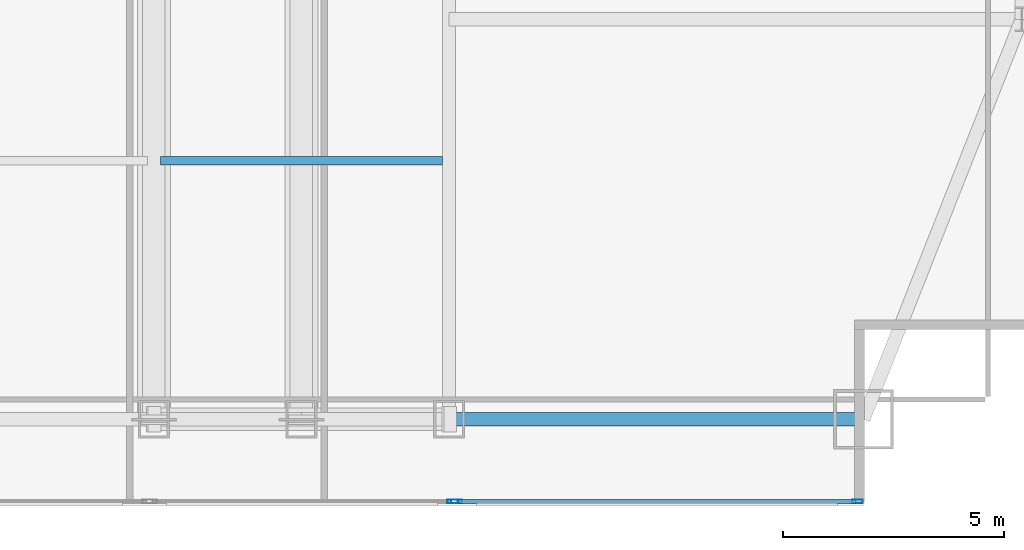
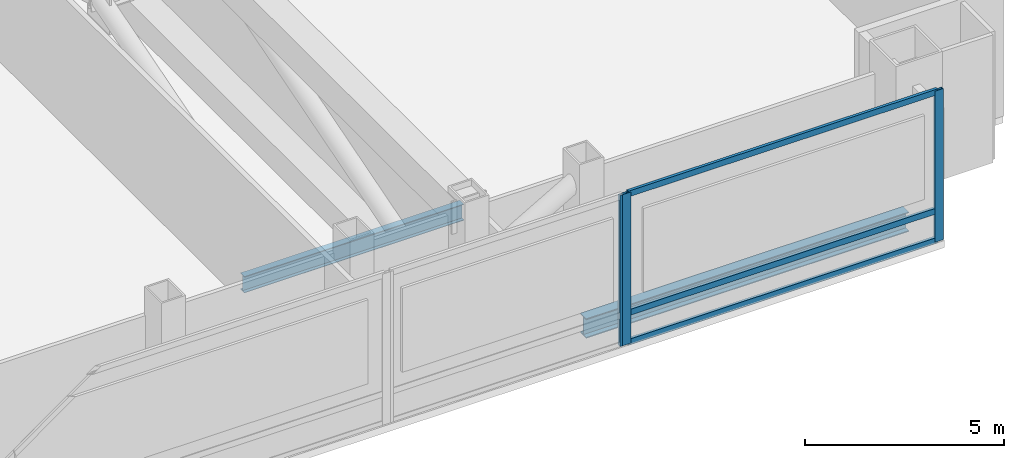
# One storey, part 15 of 30: 6 members, 2 beams, 2 elements without a shape of their own.
"""IFC4 building model written with IfcOpenShell, lengths in metres."""

import ifcopenshell
import ifcopenshell.guid

model = None  # the IFC model being written
_history = None  # IfcOwnerHistory: only IFC2X3 demands one
_inside = {}  # id of a spatial element -> (the spatial element, [elements in it])
_under = {}  # id of a project, library or spatial element -> (it, [spatial elements below it])
_declared = {}  # id of a project -> (the project, [libraries it declares])
_typed = {}  # id of a type object -> (the type object, [elements of that type])
_made_of = {}  # id of a material, layer set ... -> (it, [elements and type objects made of it])


def new_model(schema):
    """Start an empty IFC model of exactly this schema.

    Asked for "IFC4X3", IfcOpenShell would pick the latest addendum, in which some entities
    have other attributes; the version numbers below select the first issue.
    IFC2X3 requires an IfcOwnerHistory on every rooted entity: one is made here for all.
    """
    global model, _history
    if schema == "IFC4X3":
        model = ifcopenshell.file(schema_version=(4, 3, 0, 0))
    else:
        model = ifcopenshell.file(schema=schema)
    _inside.clear()
    _under.clear()
    _declared.clear()
    _typed.clear()
    _made_of.clear()
    _history = None
    if model.schema == "IFC2X3":
        org = make("IfcOrganization", Name="unknown")
        user = make(
            "IfcPersonAndOrganization",
            ThePerson=make("IfcPerson", FamilyName="unknown"),
            TheOrganization=org,
        )
        app = make(
            "IfcApplication",
            ApplicationDeveloper=org,
            Version="unknown",
            ApplicationFullName="unknown",
            ApplicationIdentifier="unknown",
        )
        _history = make(
            "IfcOwnerHistory",
            OwningUser=user,
            OwningApplication=app,
            ChangeAction="ADDED",
            CreationDate=0,
        )
    return model


def make(cls, **values):
    """One entity of the class cls with the attributes given. An attribute that is None is left unset."""
    return model.create_entity(
        cls, **{name: value for name, value in values.items() if value is not None}
    )


def rooted(cls, **values):
    """An entity with a GlobalId (a new one), such as an element, a storey or a relation."""
    return make(cls, GlobalId=ifcopenshell.guid.new(), OwnerHistory=_history, **values)


def si_unit(unit_type, name, prefix=None):
    """IfcSIUnit, for example si_unit("LENGTHUNIT", "METRE", prefix="MILLI")."""
    return make("IfcSIUnit", UnitType=unit_type, Prefix=prefix, Name=name)


def assignment(units):
    """IfcUnitAssignment: the units of a project."""
    return None if units is None else make("IfcUnitAssignment", Units=units)


def point(xyz):
    """IfcCartesianPoint."""
    return None if xyz is None else make("IfcCartesianPoint", Coordinates=xyz)


def direction(xyz):
    """IfcDirection."""
    return None if xyz is None else make("IfcDirection", DirectionRatios=xyz)


def frame(location, z_axis=None, x_axis=None):
    """IfcAxis2Placement3D, a coordinate frame: its origin and axes. An axis left out is left unset."""
    return make(
        "IfcAxis2Placement3D",
        Location=point(location),
        Axis=direction(z_axis),
        RefDirection=direction(x_axis),
    )


def frame_2d(location, x_axis=None):
    """IfcAxis2Placement2D, a coordinate frame in the plane: its origin and x axis."""
    return make(
        "IfcAxis2Placement2D", Location=point(location), RefDirection=direction(x_axis)
    )


def origin():
    """The frame at (0, 0, 0) with its axes left unset."""
    return frame((0.0, 0.0, 0.0))


def origin_2d():
    """The frame at (0, 0) in the plane with its x axis left unset."""
    return frame_2d((0.0, 0.0))


def place(relative_to, where):
    """IfcLocalPlacement: puts the frame where relative to a parent placement (None: the world)."""
    return make(
        "IfcLocalPlacement", PlacementRelTo=relative_to, RelativePlacement=where
    )


def context(
    kind, dimensions, precision=None, world=None, true_north=None, identifier=None
):
    """IfcGeometricRepresentationContext, for example the 3D "Model" context."""
    return make(
        "IfcGeometricRepresentationContext",
        ContextIdentifier=identifier,
        ContextType=kind,
        CoordinateSpaceDimension=dimensions,
        Precision=precision,
        WorldCoordinateSystem=world,
        TrueNorth=true_north,
    )


def subcontext(parent, identifier, kind, view, scale=None):
    """IfcGeometricRepresentationSubContext, for example "Body" below "Model"."""
    return make(
        "IfcGeometricRepresentationSubContext",
        ContextIdentifier=identifier,
        ContextType=kind,
        ParentContext=parent,
        TargetScale=scale,
        TargetView=view,
    )


def project(units=None, contexts=None):
    """IfcProject with its units and contexts."""
    return rooted(
        "IfcProject",
        Name="project",
        RepresentationContexts=contexts,
        UnitsInContext=assignment(units),
    )


def spatial(cls, under=None, at=None, **own):
    """A site, building, storey or space (cls), placed at a placement, below another one or the project."""
    s = rooted(cls, ObjectPlacement=at, **own)
    if under is not None:
        _under.setdefault(under.id(), (under, []))[1].append(s)
    return s


def profile(cls, at=None, kind="AREA", **sizes):
    """A parametric profile (cls). Its sizes go by their IFC names, for example OverallWidth=200.0."""
    return make(cls, ProfileType=kind, Position=at, **sizes)


def hollow_rectangle(**sizes):
    """IfcRectangleHollowProfileDef."""
    return profile("IfcRectangleHollowProfileDef", **sizes)


def i_section(**sizes):
    """IfcIShapeProfileDef."""
    return profile("IfcIShapeProfileDef", **sizes)


def extrude(swept, where, along, depth):
    """IfcExtrudedAreaSolid: the profile swept, set in the frame where, extruded along a direction by depth."""
    return make(
        "IfcExtrudedAreaSolid",
        SweptArea=swept,
        Position=where,
        ExtrudedDirection=direction(along),
        Depth=depth,
    )


def shape(context_of_items, identifier, shape_type, items):
    """IfcShapeRepresentation: the items that make up one representation, for example the "Body"."""
    return make(
        "IfcShapeRepresentation",
        ContextOfItems=context_of_items,
        RepresentationIdentifier=identifier,
        RepresentationType=shape_type,
        Items=items,
    )


def material(Name=None, Category=None):
    """IfcMaterial."""
    return make("IfcMaterial", Name=Name, Category=Category)


def material_profile(
    of_material, cross_section, Name=None, Category=None, Priority=None
):
    """IfcMaterialProfile: a cross section and its material."""
    return make(
        "IfcMaterialProfile",
        Name=Name,
        Material=of_material,
        Profile=cross_section,
        Priority=Priority,
        Category=Category,
    )


def profile_set(profiles, Name=None, composite=None):
    """IfcMaterialProfileSet."""
    return make(
        "IfcMaterialProfileSet",
        Name=Name,
        MaterialProfiles=profiles,
        CompositeProfile=composite,
    )


def made_of(thing, what):
    """Note that an element or type object is made of a material, layer set ...; save() writes the relation."""
    if what is not None:
        _made_of.setdefault(what.id(), (what, []))[1].append(thing)
    return thing


def type_object(cls, material=None, **own):
    """A type object (cls), such as IfcWallType, which elements share."""
    return made_of(rooted(cls, **own), material)


def element(
    cls,
    number,
    at=None,
    inside=None,
    cuts=None,
    type_object=None,
    material=None,
    context=None,
    identifier="Body",
    shape_type=None,
    held_by="IfcProductDefinitionShape",
    body=None,
    shapes=None,
    **own,
):
    """One element of the class cls, such as IfcWall. Its Tag is "e" and its number.

    at: its placement. inside: the storey or other place that contains it. cuts: it is an
    opening in that element (IfcRelVoidsElement). A single representation is given by context,
    identifier, shape_type and body (its items); several are given by shapes. held_by: the class
    of the entity that holds the representations. save() writes the other relations.
    """
    e = rooted(cls, Tag="e%d" % number, ObjectPlacement=at, **own)
    if body is not None:
        shapes = [shape(context, identifier, shape_type, body)]
    if shapes is not None:
        e.Representation = make(held_by, Representations=shapes)
    if inside is not None:
        _inside.setdefault(inside.id(), (inside, []))[1].append(e)
    if cuts is not None:
        rooted(
            "IfcRelVoidsElement", RelatingBuildingElement=cuts, RelatedOpeningElement=e
        )
    if type_object is not None:
        _typed.setdefault(type_object.id(), (type_object, []))[1].append(e)
    return made_of(e, material)


def aggregate(whole, parts):
    """IfcRelAggregates: a whole, such as a stair, and the parts it consists of."""
    return rooted("IfcRelAggregates", RelatingObject=whole, RelatedObjects=parts)


def save(model, path):
    """Write the relations noted so far, then the file.

    IfcRelAggregates (storeys below a building ...), IfcRelContainedInSpatialStructure (elements
    in a storey), IfcRelDefinesByType, IfcRelAssociatesMaterial and IfcRelDeclares: one each for
    every whole, place, type object, material and project.
    """
    for whole, parts in _under.values():
        aggregate(whole, parts)
    for where, things in _inside.values():
        rooted(
            "IfcRelContainedInSpatialStructure",
            RelatedElements=things,
            RelatingStructure=where,
        )
    for kind, things in _typed.values():
        rooted("IfcRelDefinesByType", RelatedObjects=things, RelatingType=kind)
    for what, things in _made_of.values():
        rooted("IfcRelAssociatesMaterial", RelatedObjects=things, RelatingMaterial=what)
    for by, libraries in _declared.values():
        rooted("IfcRelDeclares", RelatingContext=by, RelatedDefinitions=libraries)
    model.write(path)


model = new_model("IFC4")

# Units and contexts
model_context = context("Model", 3, precision=1e-05, world=origin(), true_north=direction((0.0, 1.0)))
body_context = subcontext(model_context, "Body", "Model", "MODEL_VIEW")
ifc_project = project(units=[si_unit("LENGTHUNIT", "METRE"), si_unit("AREAUNIT", "SQUARE_METRE"), si_unit("VOLUMEUNIT", "CUBIC_METRE"), si_unit("PLANEANGLEUNIT", "RADIAN"), si_unit("MASSUNIT", "GRAM", prefix="KILO")], contexts=[model_context])

# Site, building, storey
site_placement = place(None, origin())
site = spatial("IfcSite", under=ifc_project, at=site_placement, CompositionType="ELEMENT")
building_placement = place(site_placement, origin())
building = spatial("IfcBuilding", under=site, at=building_placement, Name="Khoronbel Lancet Exchange", CompositionType="ELEMENT")
storey_placement = place(building_placement, frame((0.0, 0.0, 172.199951171875)))
storey = spatial("IfcBuildingStorey", under=building, at=storey_placement, Name="L43", CompositionType="ELEMENT", Elevation=172.199951171875)

# Beams
ifc_material_1 = material(Name="Steel S355", Category="steel")
ifc_material_profile_1 = material_profile(ifc_material_1, i_section(OverallWidth=0.199951171875, OverallDepth=0.5, WebThickness=0.01025390625, FlangeThickness=0.01611328125, at=origin_2d()), Name="IPE 500")
ifc_profile_set_1 = profile_set([ifc_material_profile_1], Name="Steel S355")
beam_type_1 = type_object("IfcBeamType", Name="BM-BJ3", PredefinedType="JOIST", material=ifc_profile_set_1)
beam_1_placement = place(storey_placement, frame((48.14990234375, 16.0, -0.469970703125), z_axis=(1.0, 0.0, 0.0), x_axis=(0.0, 1.0, 0.0)))
element("IfcBeam", 1, at=beam_1_placement, inside=storey, type_object=beam_type_1, Name="Level L43 secondary composite joist J05", PredefinedType="JOIST", context=body_context, shape_type="SweptSolid", body=[
    extrude(i_section(OverallWidth=0.199951171875, OverallDepth=0.5, WebThickness=0.01025390625, FlangeThickness=0.01611328125, at=origin_2d()), origin(), (0.0, 0.0, 1.0), 6.375),
])
ifc_material_profile_2 = material_profile(ifc_material_1, i_section(OverallWidth=0.300048828125, OverallDepth=0.60009765625, WebThickness=0.015380859375, FlangeThickness=0.030029296875, at=origin_2d()), Name="HEB 600")
ifc_profile_set_2 = profile_set([ifc_material_profile_2], Name="Steel S355")
beam_type_2 = type_object("IfcBeamType", Name="BM-BSP2", PredefinedType="SPANDREL", material=ifc_profile_set_2)
beam_2_placement = place(storey_placement, frame((54.675048828125, 10.14990234375, -0.52001953125), z_axis=(1.0, 0.0, 0.0), x_axis=(0.0, 1.0, 0.0)))
element("IfcBeam", 2, at=beam_2_placement, inside=storey, type_object=beam_type_2, Name="Level L43 perimeter spandrel beam SP09", PredefinedType="SPANDREL", context=body_context, shape_type="SweptSolid", body=[
    extrude(i_section(OverallWidth=0.300048828125, OverallDepth=0.60009765625, WebThickness=0.015380859375, FlangeThickness=0.030029296875, at=origin_2d()), origin(), (0.0, 0.0, 1.0), 9.375),
])

# Curtain wall, member
ifc_material_2 = material(Name="Low-E Solar Control Insulating Glass", Category="glass")
curtain_wall_type = type_object("IfcCurtainWallType", Name="CW-3", PredefinedType="NOTDEFINED", material=ifc_material_2)
curtain_wall_1_placement = place(storey_placement, origin())
curtain_wall_1 = element("IfcCurtainWall", 3, at=curtain_wall_1_placement, inside=storey, type_object=curtain_wall_type, Name="Unitised curtain wall CW-L43-SEB", PredefinedType="NOTDEFINED")
ifc_material_3 = material(Name="Bronze-Anodised Aluminium 6063-T6", Category="aluminium")
ifc_material_profile_3 = material_profile(ifc_material_3, hollow_rectangle(XDim=0.0849609375, YDim=0.239990234375, WallThickness=0.006103515625, at=origin_2d()), Name="ALU MULLION 85x240")
ifc_profile_set_3 = profile_set([ifc_material_profile_3], Name="Bronze-Anodised Aluminium 6063-T6")
member_type_1 = type_object("IfcMemberType", Name="MEM-CWM1", PredefinedType="MULLION", material=ifc_profile_set_3)
member_1_placement = place(storey_placement, frame((54.757568359375, 8.2900390625, 0.0), z_axis=(0.0, 0.0, 1.0), x_axis=(0.0, 1.0, 0.0)))
member_1 = element("IfcMember", 4, at=member_1_placement, type_object=member_type_1, Name="CW3 mullion 2", PredefinedType="MULLION", context=body_context, shape_type="SweptSolid", body=[
    extrude(hollow_rectangle(XDim=0.0849609375, YDim=0.239990234375, WallThickness=0.006103515625, at=origin_2d()), origin(), (0.0, 0.0, 1.0), 4.64013671875),
])
aggregate(curtain_wall_1, [member_1])

# Curtain wall, members
curtain_wall_2_placement = place(storey_placement, origin())
curtain_wall_2 = element("IfcCurtainWall", 5, at=curtain_wall_2_placement, inside=storey, type_object=curtain_wall_type, Name="Unitised curtain wall CW-L43-SEV", PredefinedType="NOTDEFINED")
member_2_placement = place(storey_placement, frame((54.842529296875, 8.2900390625, 0.0), z_axis=(0.0, 0.0, 1.0), x_axis=(0.0, 1.0, 0.0)))
member_2 = element("IfcMember", 6, at=member_2_placement, type_object=member_type_1, Name="CW3 mullion 1", PredefinedType="MULLION", context=body_context, shape_type="SweptSolid", body=[
    extrude(hollow_rectangle(XDim=0.0849609375, YDim=0.239990234375, WallThickness=0.006103515625, at=origin_2d()), origin(), (0.0, 0.0, 1.0), 4.64013671875),
])
member_3_placement = place(storey_placement, frame((63.91748046875, 8.2900390625, 0.0), z_axis=(0.0, 0.0, 1.0), x_axis=(0.0, 1.0, 0.0)))
member_3 = element("IfcMember", 7, at=member_3_placement, type_object=member_type_1, Name="CW3 mullion 2", PredefinedType="MULLION", context=body_context, shape_type="SweptSolid", body=[
    extrude(hollow_rectangle(XDim=0.0849609375, YDim=0.239990234375, WallThickness=0.006103515625, at=origin_2d()), origin(), (0.0, 0.0, 1.0), 4.64013671875),
])
ifc_material_profile_4 = material_profile(ifc_material_3, hollow_rectangle(XDim=0.0849609375, YDim=0.179931640625, WallThickness=0.0048828125, at=origin_2d()), Name="ALU TRANSOM 85x180")
ifc_profile_set_4 = profile_set([ifc_material_profile_4], Name="Bronze-Anodised Aluminium 6063-T6")
member_type_2 = type_object("IfcMemberType", Name="MEM-CWT1", PredefinedType="USERDEFINED", material=ifc_profile_set_4)
member_4_placement = place(storey_placement, frame((54.885009765625, 8.2900390625, 0.04248046875), z_axis=(1.0, 0.0, 0.0), x_axis=(0.0, 1.0, 0.0)))
member_4 = element("IfcMember", 8, at=member_4_placement, type_object=member_type_2, Name="CW3 transom 1.1", ObjectType="TRANSOM", PredefinedType="USERDEFINED", context=body_context, shape_type="SweptSolid", body=[
    extrude(hollow_rectangle(XDim=0.0849609375, YDim=0.179931640625, WallThickness=0.0048828125, at=origin_2d()), origin(), (0.0, 0.0, 1.0), 8.989990234375),
])
member_5_placement = place(storey_placement, frame((54.885009765625, 8.2900390625, 0.949951171875), z_axis=(1.0, 0.0, 0.0), x_axis=(0.0, 1.0, 0.0)))
member_5 = element("IfcMember", 9, at=member_5_placement, type_object=member_type_2, Name="CW3 transom 1.2", ObjectType="TRANSOM", PredefinedType="USERDEFINED", context=body_context, shape_type="SweptSolid", body=[
    extrude(hollow_rectangle(XDim=0.0849609375, YDim=0.179931640625, WallThickness=0.0048828125, at=origin_2d()), origin(), (0.0, 0.0, 1.0), 8.989990234375),
])
member_6_placement = place(storey_placement, frame((54.885009765625, 8.2900390625, 4.59765625), z_axis=(1.0, 0.0, 0.0), x_axis=(0.0, 1.0, 0.0)))
member_6 = element("IfcMember", 10, at=member_6_placement, type_object=member_type_2, Name="CW3 transom 1.3", ObjectType="TRANSOM", PredefinedType="USERDEFINED", context=body_context, shape_type="SweptSolid", body=[
    extrude(hollow_rectangle(XDim=0.0849609375, YDim=0.179931640625, WallThickness=0.0048828125, at=origin_2d()), origin(), (0.0, 0.0, 1.0), 8.989990234375),
])
aggregate(curtain_wall_2, [member_2, member_3, member_4, member_5, member_6])

save(model, "model.ifc")
